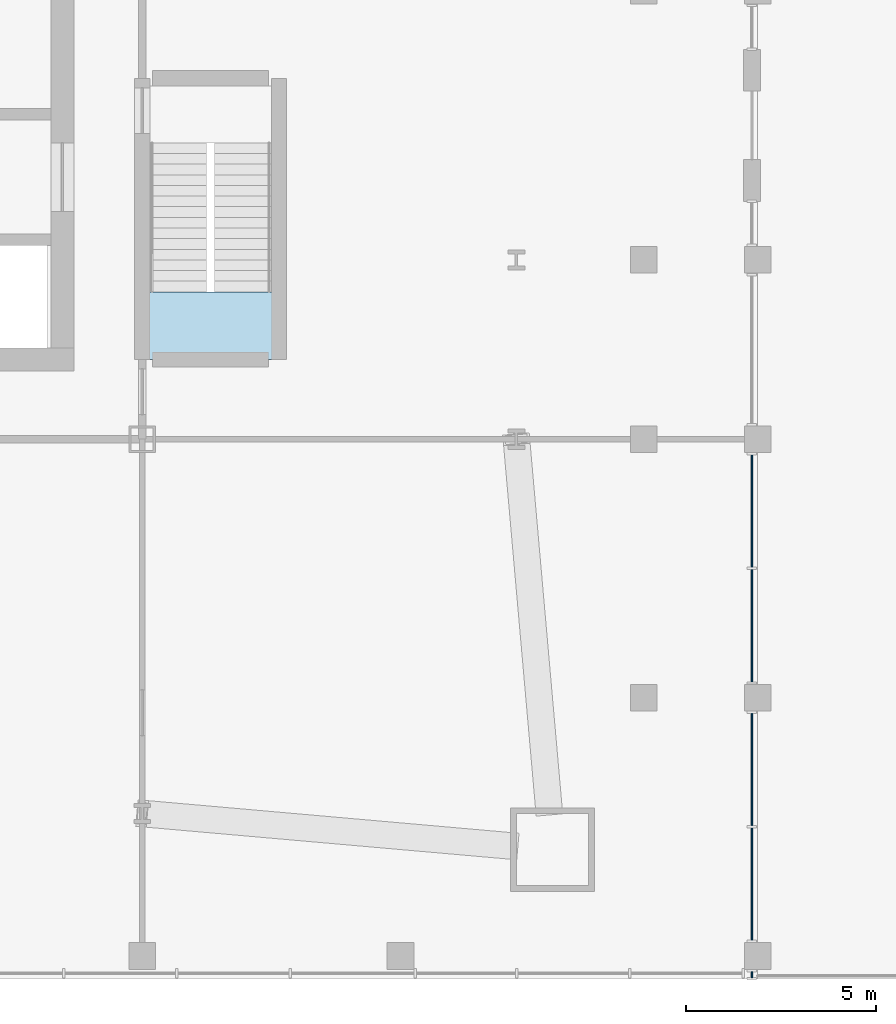
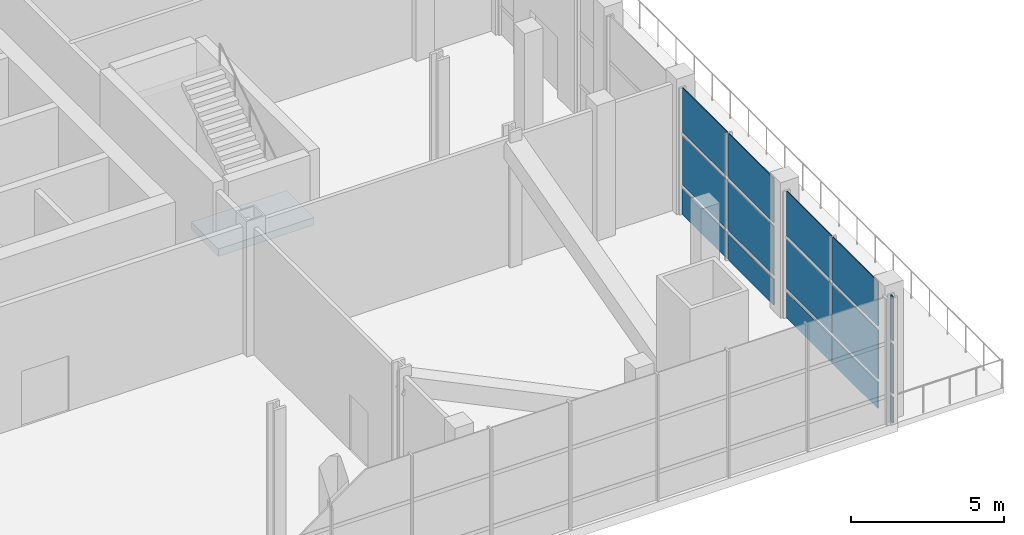
# One storey, part 10 of 17: 15 plates, 1 slab, 4 elements without a shape of their own.
"""IFC4 building model written with IfcOpenShell, lengths in metres."""

import ifcopenshell
import ifcopenshell.guid

model = None  # the IFC model being written
_history = None  # IfcOwnerHistory: only IFC2X3 demands one
_inside = {}  # id of a spatial element -> (the spatial element, [elements in it])
_under = {}  # id of a project, library or spatial element -> (it, [spatial elements below it])
_declared = {}  # id of a project -> (the project, [libraries it declares])
_typed = {}  # id of a type object -> (the type object, [elements of that type])
_made_of = {}  # id of a material, layer set ... -> (it, [elements and type objects made of it])


def new_model(schema):
    """Start an empty IFC model of exactly this schema.

    Asked for "IFC4X3", IfcOpenShell would pick the latest addendum, in which some entities
    have other attributes; the version numbers below select the first issue.
    IFC2X3 requires an IfcOwnerHistory on every rooted entity: one is made here for all.
    """
    global model, _history
    if schema == "IFC4X3":
        model = ifcopenshell.file(schema_version=(4, 3, 0, 0))
    else:
        model = ifcopenshell.file(schema=schema)
    _inside.clear()
    _under.clear()
    _declared.clear()
    _typed.clear()
    _made_of.clear()
    _history = None
    if model.schema == "IFC2X3":
        org = make("IfcOrganization", Name="unknown")
        user = make(
            "IfcPersonAndOrganization",
            ThePerson=make("IfcPerson", FamilyName="unknown"),
            TheOrganization=org,
        )
        app = make(
            "IfcApplication",
            ApplicationDeveloper=org,
            Version="unknown",
            ApplicationFullName="unknown",
            ApplicationIdentifier="unknown",
        )
        _history = make(
            "IfcOwnerHistory",
            OwningUser=user,
            OwningApplication=app,
            ChangeAction="ADDED",
            CreationDate=0,
        )
    return model


def make(cls, **values):
    """One entity of the class cls with the attributes given. An attribute that is None is left unset."""
    return model.create_entity(
        cls, **{name: value for name, value in values.items() if value is not None}
    )


def rooted(cls, **values):
    """An entity with a GlobalId (a new one), such as an element, a storey or a relation."""
    return make(cls, GlobalId=ifcopenshell.guid.new(), OwnerHistory=_history, **values)


def si_unit(unit_type, name, prefix=None):
    """IfcSIUnit, for example si_unit("LENGTHUNIT", "METRE", prefix="MILLI")."""
    return make("IfcSIUnit", UnitType=unit_type, Prefix=prefix, Name=name)


def assignment(units):
    """IfcUnitAssignment: the units of a project."""
    return None if units is None else make("IfcUnitAssignment", Units=units)


def point(xyz):
    """IfcCartesianPoint."""
    return None if xyz is None else make("IfcCartesianPoint", Coordinates=xyz)


def direction(xyz):
    """IfcDirection."""
    return None if xyz is None else make("IfcDirection", DirectionRatios=xyz)


def frame(location, z_axis=None, x_axis=None):
    """IfcAxis2Placement3D, a coordinate frame: its origin and axes. An axis left out is left unset."""
    return make(
        "IfcAxis2Placement3D",
        Location=point(location),
        Axis=direction(z_axis),
        RefDirection=direction(x_axis),
    )


def frame_2d(location, x_axis=None):
    """IfcAxis2Placement2D, a coordinate frame in the plane: its origin and x axis."""
    return make(
        "IfcAxis2Placement2D", Location=point(location), RefDirection=direction(x_axis)
    )


def origin():
    """The frame at (0, 0, 0) with its axes left unset."""
    return frame((0.0, 0.0, 0.0))


def origin_2d():
    """The frame at (0, 0) in the plane with its x axis left unset."""
    return frame_2d((0.0, 0.0))


def place(relative_to, where):
    """IfcLocalPlacement: puts the frame where relative to a parent placement (None: the world)."""
    return make(
        "IfcLocalPlacement", PlacementRelTo=relative_to, RelativePlacement=where
    )


def context(
    kind, dimensions, precision=None, world=None, true_north=None, identifier=None
):
    """IfcGeometricRepresentationContext, for example the 3D "Model" context."""
    return make(
        "IfcGeometricRepresentationContext",
        ContextIdentifier=identifier,
        ContextType=kind,
        CoordinateSpaceDimension=dimensions,
        Precision=precision,
        WorldCoordinateSystem=world,
        TrueNorth=true_north,
    )


def subcontext(parent, identifier, kind, view, scale=None):
    """IfcGeometricRepresentationSubContext, for example "Body" below "Model"."""
    return make(
        "IfcGeometricRepresentationSubContext",
        ContextIdentifier=identifier,
        ContextType=kind,
        ParentContext=parent,
        TargetScale=scale,
        TargetView=view,
    )


def project(units=None, contexts=None):
    """IfcProject with its units and contexts."""
    return rooted(
        "IfcProject",
        Name="project",
        RepresentationContexts=contexts,
        UnitsInContext=assignment(units),
    )


def spatial(cls, under=None, at=None, **own):
    """A site, building, storey or space (cls), placed at a placement, below another one or the project."""
    s = rooted(cls, ObjectPlacement=at, **own)
    if under is not None:
        _under.setdefault(under.id(), (under, []))[1].append(s)
    return s


def polyline(points):
    """IfcPolyline through the points."""
    return make("IfcPolyline", Points=[point(p) for p in points])


def profile(cls, at=None, kind="AREA", **sizes):
    """A parametric profile (cls). Its sizes go by their IFC names, for example OverallWidth=200.0."""
    return make(cls, ProfileType=kind, Position=at, **sizes)


def rectangle(**sizes):
    """IfcRectangleProfileDef."""
    return profile("IfcRectangleProfileDef", **sizes)


def outline(outer, holes=None, kind="AREA"):
    """IfcArbitraryClosedProfileDef: a profile drawn as a closed curve; with holes, ...WithVoids."""
    if holes is None:
        return make("IfcArbitraryClosedProfileDef", ProfileType=kind, OuterCurve=outer)
    return make(
        "IfcArbitraryProfileDefWithVoids",
        ProfileType=kind,
        OuterCurve=outer,
        InnerCurves=holes,
    )


def extrude(swept, where, along, depth):
    """IfcExtrudedAreaSolid: the profile swept, set in the frame where, extruded along a direction by depth."""
    return make(
        "IfcExtrudedAreaSolid",
        SweptArea=swept,
        Position=where,
        ExtrudedDirection=direction(along),
        Depth=depth,
    )


def shape(context_of_items, identifier, shape_type, items):
    """IfcShapeRepresentation: the items that make up one representation, for example the "Body"."""
    return make(
        "IfcShapeRepresentation",
        ContextOfItems=context_of_items,
        RepresentationIdentifier=identifier,
        RepresentationType=shape_type,
        Items=items,
    )


def material(Name=None, Category=None):
    """IfcMaterial."""
    return make("IfcMaterial", Name=Name, Category=Category)


def layer(
    of_material, thickness, ventilated=None, Name=None, Category=None, Priority=None
):
    """IfcMaterialLayer: one layer of a wall or slab, of a material (None: an air gap)."""
    return make(
        "IfcMaterialLayer",
        Material=of_material,
        LayerThickness=thickness,
        IsVentilated=ventilated,
        Name=Name,
        Category=Category,
        Priority=Priority,
    )


def layer_set(layers, Name=None):
    """IfcMaterialLayerSet."""
    return make("IfcMaterialLayerSet", MaterialLayers=layers, LayerSetName=Name)


def made_of(thing, what):
    """Note that an element or type object is made of a material, layer set ...; save() writes the relation."""
    if what is not None:
        _made_of.setdefault(what.id(), (what, []))[1].append(thing)
    return thing


def type_object(cls, material=None, **own):
    """A type object (cls), such as IfcWallType, which elements share."""
    return made_of(rooted(cls, **own), material)


def element(
    cls,
    number,
    at=None,
    inside=None,
    cuts=None,
    type_object=None,
    material=None,
    context=None,
    identifier="Body",
    shape_type=None,
    held_by="IfcProductDefinitionShape",
    body=None,
    shapes=None,
    **own,
):
    """One element of the class cls, such as IfcWall. Its Tag is "e" and its number.

    at: its placement. inside: the storey or other place that contains it. cuts: it is an
    opening in that element (IfcRelVoidsElement). A single representation is given by context,
    identifier, shape_type and body (its items); several are given by shapes. held_by: the class
    of the entity that holds the representations. save() writes the other relations.
    """
    e = rooted(cls, Tag="e%d" % number, ObjectPlacement=at, **own)
    if body is not None:
        shapes = [shape(context, identifier, shape_type, body)]
    if shapes is not None:
        e.Representation = make(held_by, Representations=shapes)
    if inside is not None:
        _inside.setdefault(inside.id(), (inside, []))[1].append(e)
    if cuts is not None:
        rooted(
            "IfcRelVoidsElement", RelatingBuildingElement=cuts, RelatedOpeningElement=e
        )
    if type_object is not None:
        _typed.setdefault(type_object.id(), (type_object, []))[1].append(e)
    return made_of(e, material)


def aggregate(whole, parts):
    """IfcRelAggregates: a whole, such as a stair, and the parts it consists of."""
    return rooted("IfcRelAggregates", RelatingObject=whole, RelatedObjects=parts)


def save(model, path):
    """Write the relations noted so far, then the file.

    IfcRelAggregates (storeys below a building ...), IfcRelContainedInSpatialStructure (elements
    in a storey), IfcRelDefinesByType, IfcRelAssociatesMaterial and IfcRelDeclares: one each for
    every whole, place, type object, material and project.
    """
    for whole, parts in _under.values():
        aggregate(whole, parts)
    for where, things in _inside.values():
        rooted(
            "IfcRelContainedInSpatialStructure",
            RelatedElements=things,
            RelatingStructure=where,
        )
    for kind, things in _typed.values():
        rooted("IfcRelDefinesByType", RelatedObjects=things, RelatingType=kind)
    for what, things in _made_of.values():
        rooted("IfcRelAssociatesMaterial", RelatedObjects=things, RelatingMaterial=what)
    for by, libraries in _declared.values():
        rooted("IfcRelDeclares", RelatingContext=by, RelatedDefinitions=libraries)
    model.write(path)


model = new_model("IFC4")

# Units and contexts
model_context = context("Model", 3, precision=1e-05, world=origin(), true_north=direction((0.0, 1.0)))
body_context = subcontext(model_context, "Body", "Model", "MODEL_VIEW")
ifc_project = project(units=[si_unit("LENGTHUNIT", "METRE"), si_unit("AREAUNIT", "SQUARE_METRE"), si_unit("VOLUMEUNIT", "CUBIC_METRE"), si_unit("PLANEANGLEUNIT", "RADIAN"), si_unit("MASSUNIT", "GRAM", prefix="KILO")], contexts=[model_context])

# Site, building, storey
site_placement = place(None, origin())
site = spatial("IfcSite", under=ifc_project, at=site_placement, CompositionType="ELEMENT")
building_placement = place(site_placement, origin())
building = spatial("IfcBuilding", under=site, at=building_placement, Name="Turquesa Mirador Hotel Tower", CompositionType="ELEMENT")
storey_placement = place(building_placement, frame((0.0, 0.0, 5.60009765625)))
storey = spatial("IfcBuildingStorey", under=building, at=storey_placement, Name="L01", CompositionType="ELEMENT", Elevation=5.60009765625)

# Curtain wall, plate
ifc_material_1 = material(Name="Aluminium extrusion", Category="aluminium")
curtain_wall_type = type_object("IfcCurtainWallType", Name="CW-2 PODIUM CURTAIN WALL", PredefinedType="USERDEFINED", material=ifc_material_1)
curtain_wall_1_placement = place(storey_placement, origin())
curtain_wall_1 = element("IfcCurtainWall", 1, at=curtain_wall_1_placement, inside=storey, type_object=curtain_wall_type, Name="CW-2 PODIUM CURTAIN WALL L01", ObjectType="CURTAIN WALL", PredefinedType="USERDEFINED")
ifc_material_2 = material(Name="Ceramic-printed spandrel glass on an insulated back pan", Category="glass")
ifc_layer_1 = layer(ifc_material_2, 0.050048828125)
ifc_layer_set_1 = layer_set([ifc_layer_1], Name="CW PANEL SPANDREL CERAMIC")
plate_type_1 = type_object("IfcPlateType", Name="CW PANEL SPANDREL CERAMIC", PredefinedType="CURTAIN_PANEL", material=ifc_layer_set_1)
plate_1_placement = place(storey_placement, frame((82.85009765625, 19.107666015625, 0.0), z_axis=(0.0, 0.0, 1.0), x_axis=(0.0, 1.0, 0.0)))
plate_1 = element("IfcPlate", 2, at=plate_1_placement, type_object=plate_type_1, Name="Panel", PredefinedType="CURTAIN_PANEL", context=body_context, shape_type="SweptSolid", body=[
    extrude(rectangle(XDim=0.150390625, YDim=0.050048828125, at=origin_2d()), origin(), (0.0, 0.0, 1.0), 1.02490234375),
])

# Curtain wall, plates
curtain_wall_2_placement = place(storey_placement, origin())
curtain_wall_2 = element("IfcCurtainWall", 3, at=curtain_wall_2_placement, inside=storey, type_object=curtain_wall_type, Name="CW-2 PODIUM CURTAIN WALL L01", ObjectType="CURTAIN WALL", PredefinedType="USERDEFINED")
plate_2_placement = place(storey_placement, frame((82.85009765625, 21.4921875, 0.0), z_axis=(0.0, 0.0, 1.0), x_axis=(0.0, 1.0, 0.0)))
plate_2 = element("IfcPlate", 4, at=plate_2_placement, type_object=plate_type_1, Name="Panel", PredefinedType="CURTAIN_PANEL", context=body_context, shape_type="SweptSolid", body=[
    extrude(rectangle(XDim=2.950439453125, YDim=0.050048828125, at=origin_2d()), origin(), (0.0, 0.0, 1.0), 1.02490234375),
])
plate_3_placement = place(storey_placement, frame((82.85009765625, 24.5078125, 0.0), z_axis=(0.0, 0.0, 1.0), x_axis=(0.0, 1.0, 0.0)))
plate_3 = element("IfcPlate", 5, at=plate_3_placement, type_object=plate_type_1, Name="Panel", PredefinedType="CURTAIN_PANEL", context=body_context, shape_type="SweptSolid", body=[
    extrude(rectangle(XDim=2.950439453125, YDim=0.050048828125, at=origin_2d()), origin(), (0.0, 0.0, 1.0), 1.02490234375),
])

curtain_wall_3_placement = place(storey_placement, origin())
curtain_wall_3 = element("IfcCurtainWall", 6, at=curtain_wall_3_placement, inside=storey, type_object=curtain_wall_type, Name="CW-2 PODIUM CURTAIN WALL L01", ObjectType="CURTAIN WALL", PredefinedType="USERDEFINED")
plate_4_placement = place(storey_placement, frame((82.85009765625, 28.292236328125, 0.0), z_axis=(0.0, 0.0, 1.0), x_axis=(0.0, 1.0, 0.0)))
plate_4 = element("IfcPlate", 7, at=plate_4_placement, type_object=plate_type_1, Name="Panel", PredefinedType="CURTAIN_PANEL", context=body_context, shape_type="SweptSolid", body=[
    extrude(rectangle(XDim=2.950439453125, YDim=0.050048828125, at=origin_2d()), origin(), (0.0, 0.0, 1.0), 1.02490234375),
])
plate_5_placement = place(storey_placement, frame((82.85009765625, 31.307861328125, 0.0), z_axis=(0.0, 0.0, 1.0), x_axis=(0.0, 1.0, 0.0)))
plate_5 = element("IfcPlate", 8, at=plate_5_placement, type_object=plate_type_1, Name="Panel", PredefinedType="CURTAIN_PANEL", context=body_context, shape_type="SweptSolid", body=[
    extrude(rectangle(XDim=2.950439453125, YDim=0.050048828125, at=origin_2d()), origin(), (0.0, 0.0, 1.0), 1.02490234375),
])

# Plate
ifc_material_3 = material(Name="Ceramic-fritted laminated glass", Category="glass")
ifc_layer_2 = layer(ifc_material_3, 0.031982421875)
ifc_layer_set_2 = layer_set([ifc_layer_2], Name="CW PANEL VISION FRITTED")
plate_type_2 = type_object("IfcPlateType", Name="CW PANEL VISION FRITTED", PredefinedType="CURTAIN_PANEL", material=ifc_layer_set_2)
plate_6_placement = place(storey_placement, frame((82.85009765625, 19.107666015625, 1.1748046875), z_axis=(0.0, 0.0, 1.0), x_axis=(0.0, 1.0, 0.0)))
plate_6 = element("IfcPlate", 9, at=plate_6_placement, type_object=plate_type_2, Name="Panel", PredefinedType="CURTAIN_PANEL", context=body_context, shape_type="SweptSolid", body=[
    extrude(rectangle(XDim=0.150390625, YDim=0.031982421875, at=origin_2d()), origin(), (0.0, 0.0, 1.0), 1.949951171875),
])

plate_7_placement = place(storey_placement, frame((82.85009765625, 19.107666015625, 3.27490234375), z_axis=(0.0, 0.0, 1.0), x_axis=(0.0, 1.0, 0.0)))
plate_7 = element("IfcPlate", 10, at=plate_7_placement, type_object=plate_type_2, Name="Panel", PredefinedType="CURTAIN_PANEL", context=body_context, shape_type="SweptSolid", body=[
    extrude(rectangle(XDim=0.150390625, YDim=0.031982421875, at=origin_2d()), origin(), (0.0, 0.0, 1.0), 1.77490234375),
])

aggregate(curtain_wall_1, [plate_1, plate_6, plate_7])

plate_8_placement = place(storey_placement, frame((82.85009765625, 21.4921875, 1.1748046875), z_axis=(0.0, 0.0, 1.0), x_axis=(0.0, 1.0, 0.0)))
plate_8 = element("IfcPlate", 11, at=plate_8_placement, type_object=plate_type_2, Name="Panel", PredefinedType="CURTAIN_PANEL", context=body_context, shape_type="SweptSolid", body=[
    extrude(rectangle(XDim=2.950439453125, YDim=0.031982421875, at=origin_2d()), origin(), (0.0, 0.0, 1.0), 1.949951171875),
])

plate_9_placement = place(storey_placement, frame((82.85009765625, 21.4921875, 3.27490234375), z_axis=(0.0, 0.0, 1.0), x_axis=(0.0, 1.0, 0.0)))
plate_9 = element("IfcPlate", 12, at=plate_9_placement, type_object=plate_type_2, Name="Panel", PredefinedType="CURTAIN_PANEL", context=body_context, shape_type="SweptSolid", body=[
    extrude(rectangle(XDim=2.950439453125, YDim=0.031982421875, at=origin_2d()), origin(), (0.0, 0.0, 1.0), 1.77490234375),
])

plate_10_placement = place(storey_placement, frame((82.85009765625, 24.5078125, 1.1748046875), z_axis=(0.0, 0.0, 1.0), x_axis=(0.0, 1.0, 0.0)))
plate_10 = element("IfcPlate", 13, at=plate_10_placement, type_object=plate_type_2, Name="Panel", PredefinedType="CURTAIN_PANEL", context=body_context, shape_type="SweptSolid", body=[
    extrude(rectangle(XDim=2.950439453125, YDim=0.031982421875, at=origin_2d()), origin(), (0.0, 0.0, 1.0), 1.949951171875),
])

plate_11_placement = place(storey_placement, frame((82.85009765625, 24.5078125, 3.27490234375), z_axis=(0.0, 0.0, 1.0), x_axis=(0.0, 1.0, 0.0)))
plate_11 = element("IfcPlate", 14, at=plate_11_placement, type_object=plate_type_2, Name="Panel", PredefinedType="CURTAIN_PANEL", context=body_context, shape_type="SweptSolid", body=[
    extrude(rectangle(XDim=2.950439453125, YDim=0.031982421875, at=origin_2d()), origin(), (0.0, 0.0, 1.0), 1.77490234375),
])

aggregate(curtain_wall_2, [plate_2, plate_8, plate_9, plate_3, plate_10, plate_11])

plate_12_placement = place(storey_placement, frame((82.85009765625, 28.292236328125, 1.1748046875), z_axis=(0.0, 0.0, 1.0), x_axis=(0.0, 1.0, 0.0)))
plate_12 = element("IfcPlate", 15, at=plate_12_placement, type_object=plate_type_2, Name="Panel", PredefinedType="CURTAIN_PANEL", context=body_context, shape_type="SweptSolid", body=[
    extrude(rectangle(XDim=2.950439453125, YDim=0.031982421875, at=origin_2d()), origin(), (0.0, 0.0, 1.0), 1.949951171875),
])

plate_13_placement = place(storey_placement, frame((82.85009765625, 28.292236328125, 3.27490234375), z_axis=(0.0, 0.0, 1.0), x_axis=(0.0, 1.0, 0.0)))
plate_13 = element("IfcPlate", 16, at=plate_13_placement, type_object=plate_type_2, Name="Panel", PredefinedType="CURTAIN_PANEL", context=body_context, shape_type="SweptSolid", body=[
    extrude(rectangle(XDim=2.950439453125, YDim=0.031982421875, at=origin_2d()), origin(), (0.0, 0.0, 1.0), 1.77490234375),
])

plate_14_placement = place(storey_placement, frame((82.85009765625, 31.307861328125, 1.1748046875), z_axis=(0.0, 0.0, 1.0), x_axis=(0.0, 1.0, 0.0)))
plate_14 = element("IfcPlate", 17, at=plate_14_placement, type_object=plate_type_2, Name="Panel", PredefinedType="CURTAIN_PANEL", context=body_context, shape_type="SweptSolid", body=[
    extrude(rectangle(XDim=2.950439453125, YDim=0.031982421875, at=origin_2d()), origin(), (0.0, 0.0, 1.0), 1.949951171875),
])

plate_15_placement = place(storey_placement, frame((82.85009765625, 31.307861328125, 3.27490234375), z_axis=(0.0, 0.0, 1.0), x_axis=(0.0, 1.0, 0.0)))
plate_15 = element("IfcPlate", 18, at=plate_15_placement, type_object=plate_type_2, Name="Panel", PredefinedType="CURTAIN_PANEL", context=body_context, shape_type="SweptSolid", body=[
    extrude(rectangle(XDim=2.950439453125, YDim=0.031982421875, at=origin_2d()), origin(), (0.0, 0.0, 1.0), 1.77490234375),
])

aggregate(curtain_wall_3, [plate_4, plate_12, plate_13, plate_5, plate_14, plate_15])

# Stair, slab
ifc_material_4 = material(Name="Concrete C35/45", Category="concrete")
stair_type = type_object("IfcStairType", Name="ESCAPE STAIR PODIUM", PredefinedType="HALF_TURN_STAIR", material=ifc_material_4)
stair_placement = place(storey_placement, origin())
stair = element("IfcStair", 19, at=stair_placement, inside=storey, type_object=stair_type, Name="Stair PS3 L01 to L02", PredefinedType="HALF_TURN_STAIR")
ifc_material_5 = material(Name="Concrete C35/45", Category="concrete")
ifc_layer_3 = layer(ifc_material_5, 0.300048828125)
ifc_layer_set_3 = layer_set([ifc_layer_3], Name="STAIR LANDING 300")
slab_type = type_object("IfcSlabType", Name="STAIR LANDING 300", PredefinedType="LANDING", material=ifc_layer_set_3)
slab_placement = place(storey_placement, frame((0.0, 0.0, 2.39990234375)))
slab = element("IfcSlab", 20, at=slab_placement, type_object=slab_type, Name="PS3 landing 1", PredefinedType="LANDING", context=body_context, shape_type="SweptSolid", body=[
    extrude(outline(polyline([(66.800048828125, 35.300048828125), (70.39990234375, 35.300048828125), (70.39990234375, 37.080078125), (66.800048828125, 37.080078125), (66.800048828125, 35.300048828125)])), origin(), (0.0, 0.0, 1.0), 0.300048828125),
])
aggregate(stair, [slab])

save(model, "model.ifc")
